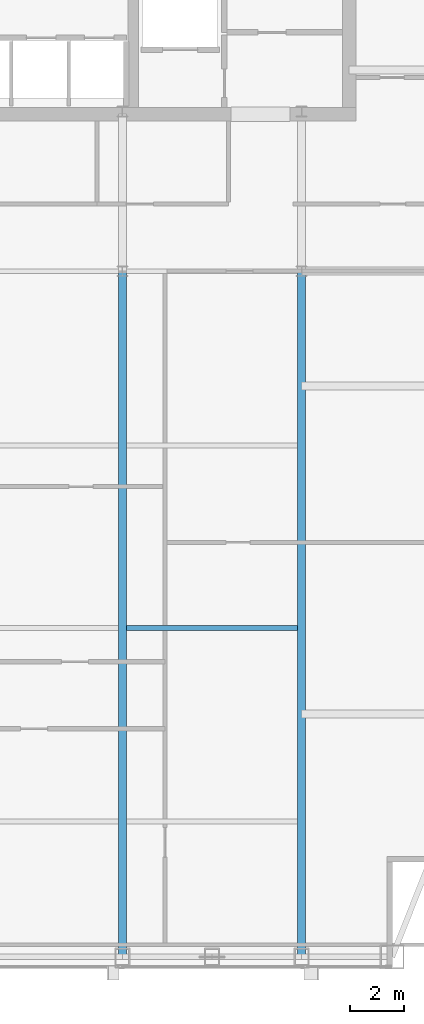
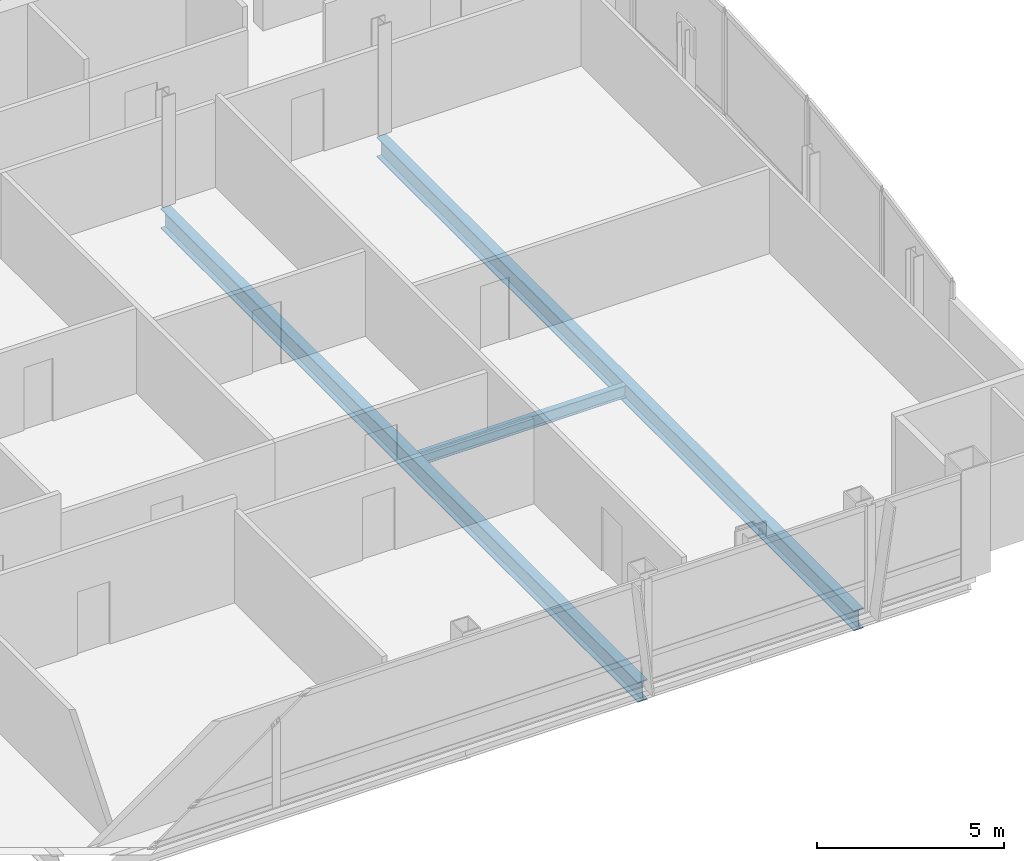
# One storey, part 12 of 25: 3 beams.
"""IFC4 building model written with IfcOpenShell, lengths in metres."""

import ifcopenshell
import ifcopenshell.guid

model = None  # the IFC model being written
_history = None  # IfcOwnerHistory: only IFC2X3 demands one
_inside = {}  # id of a spatial element -> (the spatial element, [elements in it])
_under = {}  # id of a project, library or spatial element -> (it, [spatial elements below it])
_declared = {}  # id of a project -> (the project, [libraries it declares])
_typed = {}  # id of a type object -> (the type object, [elements of that type])
_made_of = {}  # id of a material, layer set ... -> (it, [elements and type objects made of it])


def new_model(schema):
    """Start an empty IFC model of exactly this schema.

    Asked for "IFC4X3", IfcOpenShell would pick the latest addendum, in which some entities
    have other attributes; the version numbers below select the first issue.
    IFC2X3 requires an IfcOwnerHistory on every rooted entity: one is made here for all.
    """
    global model, _history
    if schema == "IFC4X3":
        model = ifcopenshell.file(schema_version=(4, 3, 0, 0))
    else:
        model = ifcopenshell.file(schema=schema)
    _inside.clear()
    _under.clear()
    _declared.clear()
    _typed.clear()
    _made_of.clear()
    _history = None
    if model.schema == "IFC2X3":
        org = make("IfcOrganization", Name="unknown")
        user = make(
            "IfcPersonAndOrganization",
            ThePerson=make("IfcPerson", FamilyName="unknown"),
            TheOrganization=org,
        )
        app = make(
            "IfcApplication",
            ApplicationDeveloper=org,
            Version="unknown",
            ApplicationFullName="unknown",
            ApplicationIdentifier="unknown",
        )
        _history = make(
            "IfcOwnerHistory",
            OwningUser=user,
            OwningApplication=app,
            ChangeAction="ADDED",
            CreationDate=0,
        )
    return model


def make(cls, **values):
    """One entity of the class cls with the attributes given. An attribute that is None is left unset."""
    return model.create_entity(
        cls, **{name: value for name, value in values.items() if value is not None}
    )


def rooted(cls, **values):
    """An entity with a GlobalId (a new one), such as an element, a storey or a relation."""
    return make(cls, GlobalId=ifcopenshell.guid.new(), OwnerHistory=_history, **values)


def si_unit(unit_type, name, prefix=None):
    """IfcSIUnit, for example si_unit("LENGTHUNIT", "METRE", prefix="MILLI")."""
    return make("IfcSIUnit", UnitType=unit_type, Prefix=prefix, Name=name)


def assignment(units):
    """IfcUnitAssignment: the units of a project."""
    return None if units is None else make("IfcUnitAssignment", Units=units)


def point(xyz):
    """IfcCartesianPoint."""
    return None if xyz is None else make("IfcCartesianPoint", Coordinates=xyz)


def direction(xyz):
    """IfcDirection."""
    return None if xyz is None else make("IfcDirection", DirectionRatios=xyz)


def frame(location, z_axis=None, x_axis=None):
    """IfcAxis2Placement3D, a coordinate frame: its origin and axes. An axis left out is left unset."""
    return make(
        "IfcAxis2Placement3D",
        Location=point(location),
        Axis=direction(z_axis),
        RefDirection=direction(x_axis),
    )


def frame_2d(location, x_axis=None):
    """IfcAxis2Placement2D, a coordinate frame in the plane: its origin and x axis."""
    return make(
        "IfcAxis2Placement2D", Location=point(location), RefDirection=direction(x_axis)
    )


def origin():
    """The frame at (0, 0, 0) with its axes left unset."""
    return frame((0.0, 0.0, 0.0))


def origin_2d():
    """The frame at (0, 0) in the plane with its x axis left unset."""
    return frame_2d((0.0, 0.0))


def place(relative_to, where):
    """IfcLocalPlacement: puts the frame where relative to a parent placement (None: the world)."""
    return make(
        "IfcLocalPlacement", PlacementRelTo=relative_to, RelativePlacement=where
    )


def context(
    kind, dimensions, precision=None, world=None, true_north=None, identifier=None
):
    """IfcGeometricRepresentationContext, for example the 3D "Model" context."""
    return make(
        "IfcGeometricRepresentationContext",
        ContextIdentifier=identifier,
        ContextType=kind,
        CoordinateSpaceDimension=dimensions,
        Precision=precision,
        WorldCoordinateSystem=world,
        TrueNorth=true_north,
    )


def subcontext(parent, identifier, kind, view, scale=None):
    """IfcGeometricRepresentationSubContext, for example "Body" below "Model"."""
    return make(
        "IfcGeometricRepresentationSubContext",
        ContextIdentifier=identifier,
        ContextType=kind,
        ParentContext=parent,
        TargetScale=scale,
        TargetView=view,
    )


def project(units=None, contexts=None):
    """IfcProject with its units and contexts."""
    return rooted(
        "IfcProject",
        Name="project",
        RepresentationContexts=contexts,
        UnitsInContext=assignment(units),
    )


def spatial(cls, under=None, at=None, **own):
    """A site, building, storey or space (cls), placed at a placement, below another one or the project."""
    s = rooted(cls, ObjectPlacement=at, **own)
    if under is not None:
        _under.setdefault(under.id(), (under, []))[1].append(s)
    return s


def profile(cls, at=None, kind="AREA", **sizes):
    """A parametric profile (cls). Its sizes go by their IFC names, for example OverallWidth=200.0."""
    return make(cls, ProfileType=kind, Position=at, **sizes)


def i_section(**sizes):
    """IfcIShapeProfileDef."""
    return profile("IfcIShapeProfileDef", **sizes)


def extrude(swept, where, along, depth):
    """IfcExtrudedAreaSolid: the profile swept, set in the frame where, extruded along a direction by depth."""
    return make(
        "IfcExtrudedAreaSolid",
        SweptArea=swept,
        Position=where,
        ExtrudedDirection=direction(along),
        Depth=depth,
    )


def shape(context_of_items, identifier, shape_type, items):
    """IfcShapeRepresentation: the items that make up one representation, for example the "Body"."""
    return make(
        "IfcShapeRepresentation",
        ContextOfItems=context_of_items,
        RepresentationIdentifier=identifier,
        RepresentationType=shape_type,
        Items=items,
    )


def material(Name=None, Category=None):
    """IfcMaterial."""
    return make("IfcMaterial", Name=Name, Category=Category)


def material_profile(
    of_material, cross_section, Name=None, Category=None, Priority=None
):
    """IfcMaterialProfile: a cross section and its material."""
    return make(
        "IfcMaterialProfile",
        Name=Name,
        Material=of_material,
        Profile=cross_section,
        Priority=Priority,
        Category=Category,
    )


def profile_set(profiles, Name=None, composite=None):
    """IfcMaterialProfileSet."""
    return make(
        "IfcMaterialProfileSet",
        Name=Name,
        MaterialProfiles=profiles,
        CompositeProfile=composite,
    )


def made_of(thing, what):
    """Note that an element or type object is made of a material, layer set ...; save() writes the relation."""
    if what is not None:
        _made_of.setdefault(what.id(), (what, []))[1].append(thing)
    return thing


def type_object(cls, material=None, **own):
    """A type object (cls), such as IfcWallType, which elements share."""
    return made_of(rooted(cls, **own), material)


def element(
    cls,
    number,
    at=None,
    inside=None,
    cuts=None,
    type_object=None,
    material=None,
    context=None,
    identifier="Body",
    shape_type=None,
    held_by="IfcProductDefinitionShape",
    body=None,
    shapes=None,
    **own,
):
    """One element of the class cls, such as IfcWall. Its Tag is "e" and its number.

    at: its placement. inside: the storey or other place that contains it. cuts: it is an
    opening in that element (IfcRelVoidsElement). A single representation is given by context,
    identifier, shape_type and body (its items); several are given by shapes. held_by: the class
    of the entity that holds the representations. save() writes the other relations.
    """
    e = rooted(cls, Tag="e%d" % number, ObjectPlacement=at, **own)
    if body is not None:
        shapes = [shape(context, identifier, shape_type, body)]
    if shapes is not None:
        e.Representation = make(held_by, Representations=shapes)
    if inside is not None:
        _inside.setdefault(inside.id(), (inside, []))[1].append(e)
    if cuts is not None:
        rooted(
            "IfcRelVoidsElement", RelatingBuildingElement=cuts, RelatedOpeningElement=e
        )
    if type_object is not None:
        _typed.setdefault(type_object.id(), (type_object, []))[1].append(e)
    return made_of(e, material)


def aggregate(whole, parts):
    """IfcRelAggregates: a whole, such as a stair, and the parts it consists of."""
    return rooted("IfcRelAggregates", RelatingObject=whole, RelatedObjects=parts)


def save(model, path):
    """Write the relations noted so far, then the file.

    IfcRelAggregates (storeys below a building ...), IfcRelContainedInSpatialStructure (elements
    in a storey), IfcRelDefinesByType, IfcRelAssociatesMaterial and IfcRelDeclares: one each for
    every whole, place, type object, material and project.
    """
    for whole, parts in _under.values():
        aggregate(whole, parts)
    for where, things in _inside.values():
        rooted(
            "IfcRelContainedInSpatialStructure",
            RelatedElements=things,
            RelatingStructure=where,
        )
    for kind, things in _typed.values():
        rooted("IfcRelDefinesByType", RelatedObjects=things, RelatingType=kind)
    for what, things in _made_of.values():
        rooted("IfcRelAssociatesMaterial", RelatedObjects=things, RelatingMaterial=what)
    for by, libraries in _declared.values():
        rooted("IfcRelDeclares", RelatingContext=by, RelatedDefinitions=libraries)
    model.write(path)


model = new_model("IFC4")

# Units and contexts
model_context = context("Model", 3, precision=1e-05, world=origin(), true_north=direction((0.0, 1.0)))
body_context = subcontext(model_context, "Body", "Model", "MODEL_VIEW")
ifc_project = project(units=[si_unit("LENGTHUNIT", "METRE"), si_unit("AREAUNIT", "SQUARE_METRE"), si_unit("VOLUMEUNIT", "CUBIC_METRE"), si_unit("PLANEANGLEUNIT", "RADIAN"), si_unit("MASSUNIT", "GRAM", prefix="KILO")], contexts=[model_context])

# Site, building, storey
site_placement = place(None, origin())
site = spatial("IfcSite", under=ifc_project, at=site_placement, CompositionType="ELEMENT")
building_placement = place(site_placement, origin())
building = spatial("IfcBuilding", under=site, at=building_placement, Name="Khoronbel Lancet Exchange", CompositionType="ELEMENT")
storey_placement = place(building_placement, frame((0.0, 0.0, 298.60009765625)))
storey = spatial("IfcBuildingStorey", under=building, at=storey_placement, Name="L77", CompositionType="ELEMENT", Elevation=298.60009765625)

# Beams
ifc_material = material(Name="Steel S355", Category="steel")
ifc_material_profile_1 = material_profile(ifc_material, i_section(OverallWidth=0.300048828125, OverallDepth=0.64990234375, WebThickness=0.01611328125, FlangeThickness=0.031005859375, at=origin_2d()), Name="HEB 650")
ifc_profile_set_1 = profile_set([ifc_material_profile_1], Name="Steel S355")
beam_type_1 = type_object("IfcBeamType", Name="BM-BG4", PredefinedType="BEAM", material=ifc_profile_set_1)
for number, where, z_axis, x_axis, name in (
    (1, (48.0, 10.14990234375, -0.485107421875), (0.0, 1.0, 0.0), (-1.0, 0.0, 0.0), "Level L77 south primary girder GS5"),
    (2, (54.675048828125, 10.14990234375, -0.485107421875), (0.0, 1.0, 0.0), (-1.0, 0.0, 0.0), "Level L77 south primary girder GS6"),
):
    element("IfcBeam", number, at=place(storey_placement, frame(where, z_axis=z_axis, x_axis=x_axis)), inside=storey, type_object=beam_type_1, Name=name, PredefinedType="BEAM", context=body_context, shape_type="SweptSolid", body=[
        extrude(i_section(OverallWidth=0.300048828125, OverallDepth=0.64990234375, WebThickness=0.01611328125, FlangeThickness=0.031005859375, at=origin_2d()), origin(), (0.0, 0.0, 1.0), 25.550048828125),
    ])
ifc_material_profile_2 = material_profile(ifc_material, i_section(OverallWidth=0.179931640625, OverallDepth=0.39990234375, WebThickness=0.008544921875, FlangeThickness=0.013427734375, at=origin_2d()), Name="IPE 400")
ifc_profile_set_2 = profile_set([ifc_material_profile_2], Name="Steel S355")
beam_type_2 = type_object("IfcBeamType", Name="BM-BJ5", PredefinedType="JOIST", material=ifc_profile_set_2)
beam_placement = place(storey_placement, frame((48.14990234375, 22.39990234375, -0.360107421875), z_axis=(1.0, 0.0, 0.0), x_axis=(0.0, 1.0, 0.0)))
element("IfcBeam", 3, at=beam_placement, inside=storey, type_object=beam_type_2, Name="Level L77 secondary composite joist J10", PredefinedType="JOIST", context=body_context, shape_type="SweptSolid", body=[
    extrude(i_section(OverallWidth=0.179931640625, OverallDepth=0.39990234375, WebThickness=0.008544921875, FlangeThickness=0.013427734375, at=origin_2d()), origin(), (0.0, 0.0, 1.0), 6.375),
])

save(model, "model.ifc")
